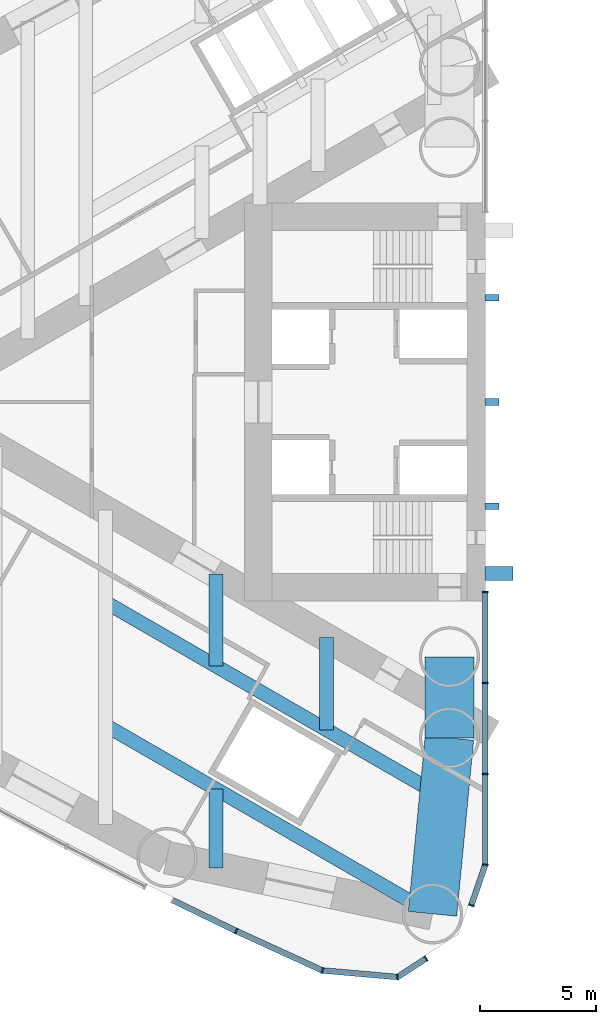
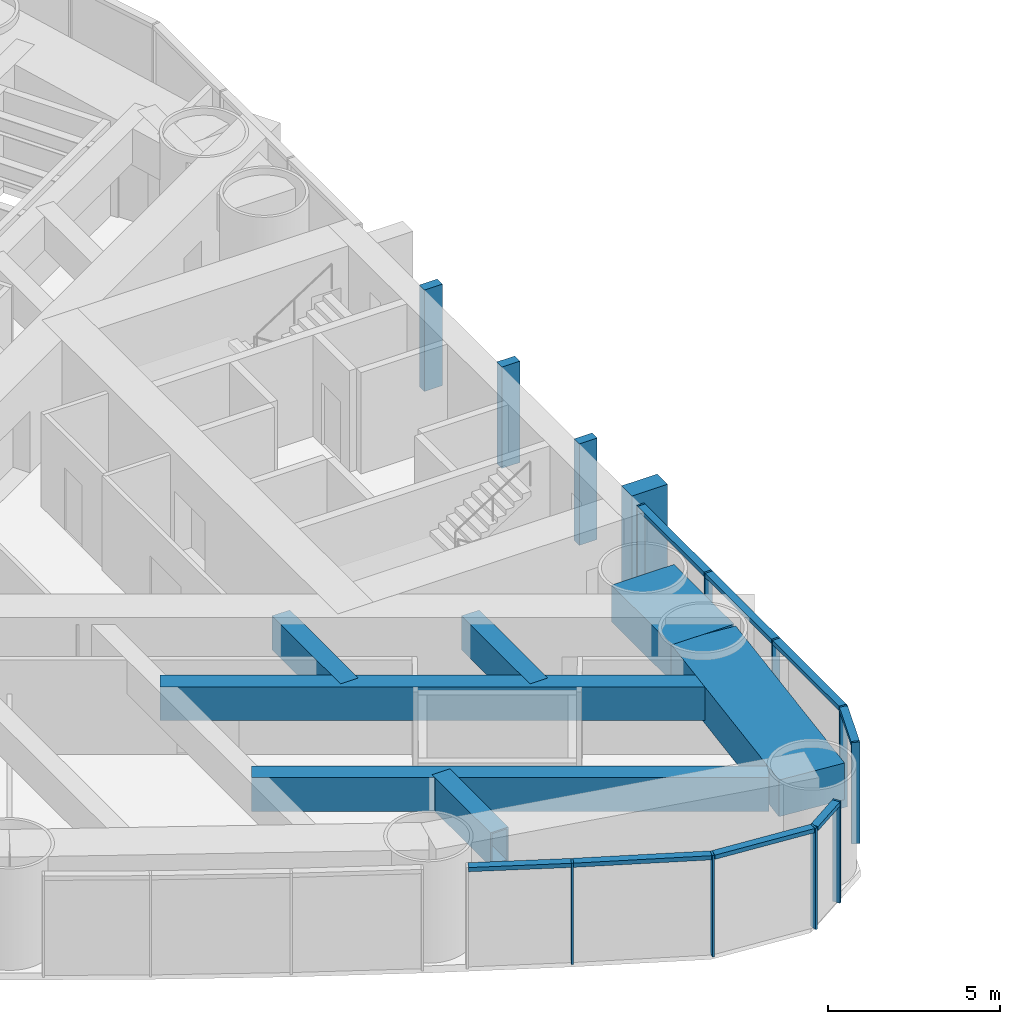
# One storey, part 3 of 16: 21 members, 7 beams, 2 elements without a shape of their own.
"""IFC4 building model written with IfcOpenShell, lengths in metres."""

from ifc_helpers import new_model, si_unit, direction, frame, origin, origin_2d, place, context, subcontext, project, spatial, rectangle, hollow_rectangle, extrude, material, material_profile, profile_set, type_object, element, aggregate, save


model = new_model("IFC4")

# Units and contexts
model_context = context("Model", 3, precision=1e-05, world=origin(), true_north=direction((0.0, 1.0)))
body_context = subcontext(model_context, "Body", "Model", "MODEL_VIEW")
ifc_project = project(units=[si_unit("LENGTHUNIT", "METRE"), si_unit("AREAUNIT", "SQUARE_METRE"), si_unit("VOLUMEUNIT", "CUBIC_METRE"), si_unit("PLANEANGLEUNIT", "RADIAN"), si_unit("MASSUNIT", "GRAM", prefix="KILO")], contexts=[model_context])

# Site, building, storey
site_placement = place(None, origin())
site = spatial("IfcSite", under=ifc_project, at=site_placement, CompositionType="ELEMENT")
building_placement = place(site_placement, origin())
building = spatial("IfcBuilding", under=site, at=building_placement, Name="Lancet Gate Hotel", CompositionType="ELEMENT")
storey_placement = place(building_placement, frame((0.0, 0.0, 143.10009765625)))
storey = spatial("IfcBuildingStorey", under=building, at=storey_placement, Name="L38", CompositionType="ELEMENT", Elevation=143.10009765625)

# Curtain wall, members
ifc_material_1 = material(Name="Aluminium curtain wall", Category="aluminium")
curtain_wall_type = type_object("IfcCurtainWallType", Name="Tower unitised curtain wall", PredefinedType="USERDEFINED", material=ifc_material_1)
curtain_wall_1_placement = place(storey_placement, origin())
curtain_wall_1 = element("IfcCurtainWall", 1, at=curtain_wall_1_placement, inside=storey, type_object=curtain_wall_type, Name="T1 L38 curtain wall 9", ObjectType="UNITISED CURTAIN WALL", PredefinedType="USERDEFINED")
ifc_material_2 = material(Name="Aluminium mullion", Category="aluminium")
ifc_material_profile_1 = material_profile(ifc_material_2, rectangle(XDim=0.06494140625, YDim=0.25, at=origin_2d()), Name="MULLION 65x250")
ifc_profile_set_1 = profile_set([ifc_material_profile_1], Name="Aluminium mullion")
member_type_1 = type_object("IfcMemberType", Name="Aluminium mullion 65x250", PredefinedType="MULLION", material=ifc_profile_set_1)
member_1_placement = place(storey_placement, frame((-38.25244140625, -22.83642578125, 0.0), z_axis=(0.0, 0.0, 1.0), x_axis=(0.905378883959, -0.42460461194, 0.0)))
member_1 = element("IfcMember", 2, at=member_1_placement, type_object=member_type_1, Name="T1 L38 curtain wall 9 mullion 2", PredefinedType="MULLION", context=body_context, shape_type="SweptSolid", body=[
    extrude(rectangle(XDim=0.06494140625, YDim=0.25, at=origin_2d()), origin(), (0.0, 0.0, 1.0), 3.599853515625),
])
member_2_placement = place(storey_placement, frame((-34.5322265625, -24.53955078125, 0.0), z_axis=(0.0, 0.0, 1.0), x_axis=(0.961653318232, -0.27426792655, 0.0)))
member_2 = element("IfcMember", 3, at=member_2_placement, type_object=member_type_1, Name="T1 L38 curtain wall 9 mullion 3", PredefinedType="MULLION", context=body_context, shape_type="SweptSolid", body=[
    extrude(rectangle(XDim=0.06494140625, YDim=0.25, at=origin_2d()), origin(), (0.0, 0.0, 1.0), 3.599853515625),
])
member_3_placement = place(storey_placement, frame((-31.289306640625, -24.822265625, 0.0), z_axis=(0.0, 0.0, 1.0), x_axis=(0.993425149786, 0.114483500005, 0.0)))
member_3 = element("IfcMember", 4, at=member_3_placement, type_object=member_type_1, Name="T1 L38 curtain wall 9 mullion 4", PredefinedType="MULLION", context=body_context, shape_type="SweptSolid", body=[
    extrude(rectangle(XDim=0.06494140625, YDim=0.25, at=origin_2d()), origin(), (0.0, 0.0, 1.0), 3.599853515625),
])
member_4_placement = place(storey_placement, frame((-30.060791015625, -24.024169921875, 0.0), z_axis=(0.0, 0.0, 1.0), x_axis=(0.838580121261, 0.544778285385, 0.0)))
member_4 = element("IfcMember", 5, at=member_4_placement, type_object=member_type_1, Name="T1 L38 curtain wall 9 mullion 5", PredefinedType="MULLION", context=body_context, shape_type="SweptSolid", body=[
    extrude(rectangle(XDim=0.06494140625, YDim=0.25, at=origin_2d()), origin(), (0.0, 0.0, 1.0), 3.599853515625),
])

curtain_wall_2_placement = place(storey_placement, origin())
curtain_wall_2 = element("IfcCurtainWall", 6, at=curtain_wall_2_placement, inside=storey, type_object=curtain_wall_type, Name="T1 L38 curtain wall 10", ObjectType="UNITISED CURTAIN WALL", PredefinedType="USERDEFINED")
member_5_placement = place(storey_placement, frame((-28.104736328125, -21.727783203125, 0.0), z_axis=(0.0, 0.0, 1.0), x_axis=(0.325515820766, 0.945536593914, 0.0)))
member_5 = element("IfcMember", 7, at=member_5_placement, type_object=member_type_1, Name="T1 L38 curtain wall 10 mullion 1", PredefinedType="MULLION", context=body_context, shape_type="SweptSolid", body=[
    extrude(rectangle(XDim=0.06494140625, YDim=0.25, at=origin_2d()), origin(), (0.0, 0.0, 1.0), 3.599853515625),
])
member_6_placement = place(storey_placement, frame((-27.5, -19.97119140625, 0.0), z_axis=(0.0, 0.0, 1.0), x_axis=(0.105863115284, 0.994380712214, 0.0)))
member_6 = element("IfcMember", 8, at=member_6_placement, type_object=member_type_1, Name="T1 L38 curtain wall 10 mullion 2", PredefinedType="MULLION", context=body_context, shape_type="SweptSolid", body=[
    extrude(rectangle(XDim=0.06494140625, YDim=0.25, at=origin_2d()), origin(), (0.0, 0.0, 1.0), 3.599853515625),
])
member_7_placement = place(storey_placement, frame((-27.5, -16.04736328125, 0.0), z_axis=(0.0, 0.0, 1.0), x_axis=(0.0, 1.0, 0.0)))
member_7 = element("IfcMember", 9, at=member_7_placement, type_object=member_type_1, Name="T1 L38 curtain wall 10 mullion 3", PredefinedType="MULLION", context=body_context, shape_type="SweptSolid", body=[
    extrude(rectangle(XDim=0.06494140625, YDim=0.25, at=origin_2d()), origin(), (0.0, 0.0, 1.0), 3.599853515625),
])
member_8_placement = place(storey_placement, frame((-27.5, -12.123779296875, 0.0), z_axis=(0.0, 0.0, 1.0), x_axis=(0.0, 1.0, 0.0)))
member_8 = element("IfcMember", 10, at=member_8_placement, type_object=member_type_1, Name="T1 L38 curtain wall 10 mullion 4", PredefinedType="MULLION", context=body_context, shape_type="SweptSolid", body=[
    extrude(rectangle(XDim=0.06494140625, YDim=0.25, at=origin_2d()), origin(), (0.0, 0.0, 1.0), 3.599853515625),
])
member_9_placement = place(storey_placement, frame((-27.5, -8.199951171875, 0.0), z_axis=(0.0, 0.0, 1.0), x_axis=(0.0, 1.0, 0.0)))
member_9 = element("IfcMember", 11, at=member_9_placement, type_object=member_type_1, Name="T1 L38 curtain wall 10 mullion 5", PredefinedType="MULLION", context=body_context, shape_type="SweptSolid", body=[
    extrude(rectangle(XDim=0.06494140625, YDim=0.25, at=origin_2d()), origin(), (0.0, 0.0, 1.0), 3.599853515625),
])

# Member
ifc_material_3 = material(Name="Aluminium transom", Category="aluminium")
ifc_material_profile_2 = material_profile(ifc_material_3, rectangle(XDim=0.25, YDim=0.14990234375, at=origin_2d()), Name="TRANSOM 250x150")
ifc_profile_set_2 = profile_set([ifc_material_profile_2], Name="Aluminium transom")
member_type_2 = type_object("IfcMemberType", Name="Aluminium transom 250x150", PredefinedType="USERDEFINED", material=ifc_profile_set_2)
member_10_placement = place(storey_placement, frame((-40.97900390625, -21.5166015625, 3.52490234375), z_axis=(0.90008917215, -0.435705728879, 0.0), x_axis=(0.435705728879, 0.90008917215, 0.0)))
member_10 = element("IfcMember", 12, at=member_10_placement, type_object=member_type_2, Name="T1 L38 curtain wall 9 transom 1", ObjectType="TRANSOM", PredefinedType="USERDEFINED", context=body_context, shape_type="SweptSolid", body=[
    extrude(rectangle(XDim=0.25, YDim=0.14990234375, at=origin_2d()), origin(), (0.0, 0.0, 1.0), 2.99658203125),
])

member_11_placement = place(storey_placement, frame((-38.222900390625, -22.849853515625, 3.52490234375), z_axis=(0.909252284196, -0.416245460857, 0.0), x_axis=(0.416245460857, 0.909252284196, 0.0)))
member_11 = element("IfcMember", 13, at=member_11_placement, type_object=member_type_2, Name="T1 L38 curtain wall 9 transom 2", ObjectType="TRANSOM", PredefinedType="USERDEFINED", context=body_context, shape_type="SweptSolid", body=[
    extrude(rectangle(XDim=0.25, YDim=0.14990234375, at=origin_2d()), origin(), (0.0, 0.0, 1.0), 4.026611328125),
])

member_12_placement = place(storey_placement, frame((-34.499755859375, -24.542236328125, 3.52490234375), z_axis=(0.996213545522, -0.086940046686, 0.0), x_axis=(0.086940046686, 0.996213545522, 0.0)))
member_12 = element("IfcMember", 14, at=member_12_placement, type_object=member_type_2, Name="T1 L38 curtain wall 9 transom 3", ObjectType="TRANSOM", PredefinedType="USERDEFINED", context=body_context, shape_type="SweptSolid", body=[
    extrude(rectangle(XDim=0.25, YDim=0.14990234375, at=origin_2d()), origin(), (0.0, 0.0, 1.0), 3.18994140625),
])

member_13_placement = place(storey_placement, frame((-31.261962890625, -24.8046875, 3.52490234375), z_axis=(0.838539234956, 0.544841216723, 0.0), x_axis=(-0.544841216723, 0.838539234956, 0.0)))
member_13 = element("IfcMember", 15, at=member_13_placement, type_object=member_type_2, Name="T1 L38 curtain wall 9 transom 4", ObjectType="TRANSOM", PredefinedType="USERDEFINED", context=body_context, shape_type="SweptSolid", body=[
    extrude(rectangle(XDim=0.25, YDim=0.14990234375, at=origin_2d()), origin(), (0.0, 0.0, 1.0), 1.39990234375),
])

aggregate(curtain_wall_1, [member_1, member_2, member_3, member_4, member_10, member_11, member_12, member_13])

member_14_placement = place(storey_placement, frame((-28.09423828125, -21.697021484375, 3.52490234375), z_axis=(0.325566821908, 0.945519034432, 0.0), x_axis=(-0.945519034432, 0.325566821908, 0.0)))
member_14 = element("IfcMember", 16, at=member_14_placement, type_object=member_type_2, Name="T1 L38 curtain wall 10 transom 1", ObjectType="TRANSOM", PredefinedType="USERDEFINED", context=body_context, shape_type="SweptSolid", body=[
    extrude(rectangle(XDim=0.25, YDim=0.14990234375, at=origin_2d()), origin(), (0.0, 0.0, 1.0), 1.79296875),
])

member_15_placement = place(storey_placement, frame((-27.5, -19.9384765625, 3.52490234375), z_axis=(0.0, 1.0, 0.0), x_axis=(-1.0, 0.0, 0.0)))
member_15 = element("IfcMember", 17, at=member_15_placement, type_object=member_type_2, Name="T1 L38 curtain wall 10 transom 2", ObjectType="TRANSOM", PredefinedType="USERDEFINED", context=body_context, shape_type="SweptSolid", body=[
    extrude(rectangle(XDim=0.25, YDim=0.14990234375, at=origin_2d()), origin(), (0.0, 0.0, 1.0), 3.858642578125),
])

member_16_placement = place(storey_placement, frame((-27.5, -16.014892578125, 3.52490234375), z_axis=(0.0, 1.0, 0.0), x_axis=(-1.0, 0.0, 0.0)))
member_16 = element("IfcMember", 18, at=member_16_placement, type_object=member_type_2, Name="T1 L38 curtain wall 10 transom 3", ObjectType="TRANSOM", PredefinedType="USERDEFINED", context=body_context, shape_type="SweptSolid", body=[
    extrude(rectangle(XDim=0.25, YDim=0.14990234375, at=origin_2d()), origin(), (0.0, 0.0, 1.0), 3.858642578125),
])

member_17_placement = place(storey_placement, frame((-27.5, -12.09130859375, 3.52490234375), z_axis=(0.0, 1.0, 0.0), x_axis=(-1.0, 0.0, 0.0)))
member_17 = element("IfcMember", 19, at=member_17_placement, type_object=member_type_2, Name="T1 L38 curtain wall 10 transom 4", ObjectType="TRANSOM", PredefinedType="USERDEFINED", context=body_context, shape_type="SweptSolid", body=[
    extrude(rectangle(XDim=0.25, YDim=0.14990234375, at=origin_2d()), origin(), (0.0, 0.0, 1.0), 3.85888671875),
])

aggregate(curtain_wall_2, [member_5, member_6, member_7, member_8, member_9, member_14, member_15, member_16, member_17])

# Members
ifc_material_4 = material(Name="Concrete C60/75", Category="concrete")
ifc_material_profile_3 = material_profile(ifc_material_4, rectangle(XDim=0.60009765625, YDim=1.199951171875, at=origin_2d()), Name="FIN 600x1200")
ifc_profile_set_3 = profile_set([ifc_material_profile_3], Name="Concrete C60/75")
member_type_3 = type_object("IfcMemberType", Name="Exposed concrete buttress pilaster 600x1200", PredefinedType="USERDEFINED", material=ifc_profile_set_3)
member_18_placement = place(storey_placement, frame((-26.909912109375, -7.39990234375, 0.0), z_axis=(0.0, 0.0, 1.0), x_axis=(0.0, 1.0, 0.0)))
element("IfcMember", 20, at=member_18_placement, inside=storey, type_object=member_type_3, Name="T1 buttress pilaster N L38", ObjectType="FIN", PredefinedType="USERDEFINED", context=body_context, shape_type="SweptSolid", body=[
    extrude(rectangle(XDim=0.60009765625, YDim=1.199951171875, at=origin_2d()), origin(), (0.0, 0.0, 1.0), 3.599853515625),
])
ifc_material_5 = material(Name="Concrete C60/75", Category="concrete")
ifc_material_profile_4 = material_profile(ifc_material_5, rectangle(XDim=0.300048828125, YDim=0.60009765625, at=origin_2d()), Name="FIN 300x600")
ifc_profile_set_4 = profile_set([ifc_material_profile_4], Name="Concrete C60/75")
member_type_4 = type_object("IfcMemberType", Name="Exposed concrete rib 300x600", PredefinedType="USERDEFINED", material=ifc_profile_set_4)
for number, where, z_axis, x_axis, name in (
    (21, (-27.2099609375, 4.5, 0.0), (0.0, 0.0, 1.0), (0.0, 1.0, 0.0), "T1 core rib 1 L38"),
    (22, (-27.2099609375, 0.0, 0.0), (0.0, 0.0, 1.0), (0.0, 1.0, 0.0), "T1 core rib 2 L38"),
    (23, (-27.2099609375, -4.5, 0.0), (0.0, 0.0, 1.0), (0.0, 1.0, 0.0), "T1 core rib 3 L38"),
):
    element("IfcMember", number, at=place(storey_placement, frame(where, z_axis=z_axis, x_axis=x_axis)), inside=storey, type_object=member_type_4, Name=name, ObjectType="FIN", PredefinedType="USERDEFINED", context=body_context, shape_type="SweptSolid", body=[
        extrude(rectangle(XDim=0.300048828125, YDim=0.60009765625, at=origin_2d()), origin(), (0.0, 0.0, 1.0), 3.599853515625),
    ])

# Beams
ifc_material_6 = material(Name="Steel S460QL", Category="steel")
ifc_material_profile_5 = material_profile(ifc_material_6, hollow_rectangle(XDim=0.60009765625, YDim=1.199951171875, WallThickness=0.050048828125, at=origin_2d()), Name="BOX 1200x600x50")
ifc_profile_set_5 = profile_set([ifc_material_profile_5], Name="Steel S460QL")
beam_type_1 = type_object("IfcBeamType", Name="Refuge floor beam BOX 1200x600x50", PredefinedType="BEAM", material=ifc_profile_set_5)
beam_1_placement = place(storey_placement, frame((-34.353515625, -10.169921875, 2.75), z_axis=(0.0, -1.0, 0.0), x_axis=(1.0, 0.0, 0.0)))
element("IfcBeam", 24, at=beam_1_placement, inside=storey, type_object=beam_type_1, Name="T1 floor beam F03NA L38", PredefinedType="BEAM", context=body_context, shape_type="SweptSolid", body=[
    extrude(hollow_rectangle(XDim=0.60009765625, YDim=1.199951171875, WallThickness=0.050048828125, at=origin_2d()), origin(), (0.0, 0.0, 1.0), 3.98388671875),
])
beam_2_placement = place(storey_placement, frame((-39.122314453125, -7.41650390625, 2.75), z_axis=(0.0, -1.0, 0.0), x_axis=(1.0, 0.0, 0.0)))
element("IfcBeam", 25, at=beam_2_placement, inside=storey, type_object=beam_type_1, Name="T1 floor beam F06NA L38", PredefinedType="BEAM", context=body_context, shape_type="SweptSolid", body=[
    extrude(hollow_rectangle(XDim=0.60009765625, YDim=1.199951171875, WallThickness=0.050048828125, at=origin_2d()), origin(), (0.0, 0.0, 1.0), 3.984130859375),
])
beam_3_placement = place(storey_placement, frame((-39.122314453125, -16.7119140625, 2.75), z_axis=(0.0, -1.0, 0.0), x_axis=(1.0, 0.0, 0.0)))
element("IfcBeam", 26, at=beam_3_placement, inside=storey, type_object=beam_type_1, Name="T1 floor beam F06NB L38", PredefinedType="BEAM", context=body_context, shape_type="SweptSolid", body=[
    extrude(hollow_rectangle(XDim=0.60009765625, YDim=1.199951171875, WallThickness=0.050048828125, at=origin_2d()), origin(), (0.0, 0.0, 1.0), 3.403564453125),
])
ifc_material_7 = material(Name="Concrete C50/60", Category="concrete")
ifc_material_profile_6 = material_profile(ifc_material_7, rectangle(XDim=2.10009765625, YDim=1.300048828125, at=origin_2d()), Name="RC 2100x1300")
ifc_profile_set_6 = profile_set([ifc_material_profile_6], Name="Concrete C50/60")
beam_type_2 = type_object("IfcBeamType", Name="Tie ring beam RC 2100x1300", PredefinedType="SPANDREL", material=ifc_profile_set_6)
beam_4_placement = place(storey_placement, frame((-29.050048828125, -11.0, 2.699951171875), z_axis=(0.0, -1.0, 0.0), x_axis=(1.0, 0.0, 0.0)))
element("IfcBeam", 27, at=beam_4_placement, inside=storey, type_object=beam_type_2, Name="T1 tie ring beam RG2 L38", PredefinedType="SPANDREL", context=body_context, shape_type="SweptSolid", body=[
    extrude(rectangle(XDim=2.10009765625, YDim=1.300048828125, at=origin_2d()), origin(), (0.0, 0.0, 1.0), 3.5),
])
beam_5_placement = place(storey_placement, frame((-29.050048828125, -14.5, 2.699951171875), z_axis=(-0.095802643786, -0.995400348324, 0.0), x_axis=(0.995400348324, -0.095802643786, 0.0)))
element("IfcBeam", 28, at=beam_5_placement, inside=storey, type_object=beam_type_2, Name="T1 tie ring beam RG2 L38", PredefinedType="SPANDREL", context=body_context, shape_type="SweptSolid", body=[
    extrude(rectangle(XDim=2.10009765625, YDim=1.300048828125, at=origin_2d()), origin(), (0.0, 0.0, 1.0), 7.6298828125),
])
ifc_material_8 = material(Name="Steel S460QL", Category="steel")
ifc_material_profile_7 = material_profile(ifc_material_8, hollow_rectangle(XDim=0.60009765625, YDim=1.199951171875, WallThickness=0.050048828125, at=origin_2d()), Name="BOX 1200x600x50")
ifc_profile_set_7 = profile_set([ifc_material_profile_7], Name="Steel S460QL")
beam_type_3 = type_object("IfcBeamType", Name="Trimmer beam BOX 1200x600x50", PredefinedType="BEAM", material=ifc_profile_set_7)
beam_6_placement = place(storey_placement, frame((-29.58447265625, -16.90673828125, 2.75), z_axis=(-0.86604654091, 0.499963387638, 0.0), x_axis=(-0.499963387638, -0.86604654091, 0.0)))
element("IfcBeam", 29, at=beam_6_placement, inside=storey, type_object=beam_type_3, Name="T1 trimmer beam TR01N L38", PredefinedType="BEAM", context=body_context, shape_type="SweptSolid", body=[
    extrude(hollow_rectangle(XDim=0.60009765625, YDim=1.199951171875, WallThickness=0.050048828125, at=origin_2d()), origin(), (0.0, 0.0, 1.0), 16.519775390625),
])
beam_7_placement = place(storey_placement, frame((-30.867919921875, -21.47705078125, 2.75), z_axis=(-0.866047707503, 0.499961366837, 0.0), x_axis=(-0.499961366837, -0.866047707503, 0.0)))
element("IfcBeam", 30, at=beam_7_placement, inside=storey, type_object=beam_type_3, Name="T1 trimmer beam TR03N L38", PredefinedType="BEAM", context=body_context, shape_type="SweptSolid", body=[
    extrude(hollow_rectangle(XDim=0.60009765625, YDim=1.199951171875, WallThickness=0.050048828125, at=origin_2d()), origin(), (0.0, 0.0, 1.0), 15.037841796875),
])

save(model, "model.ifc")
